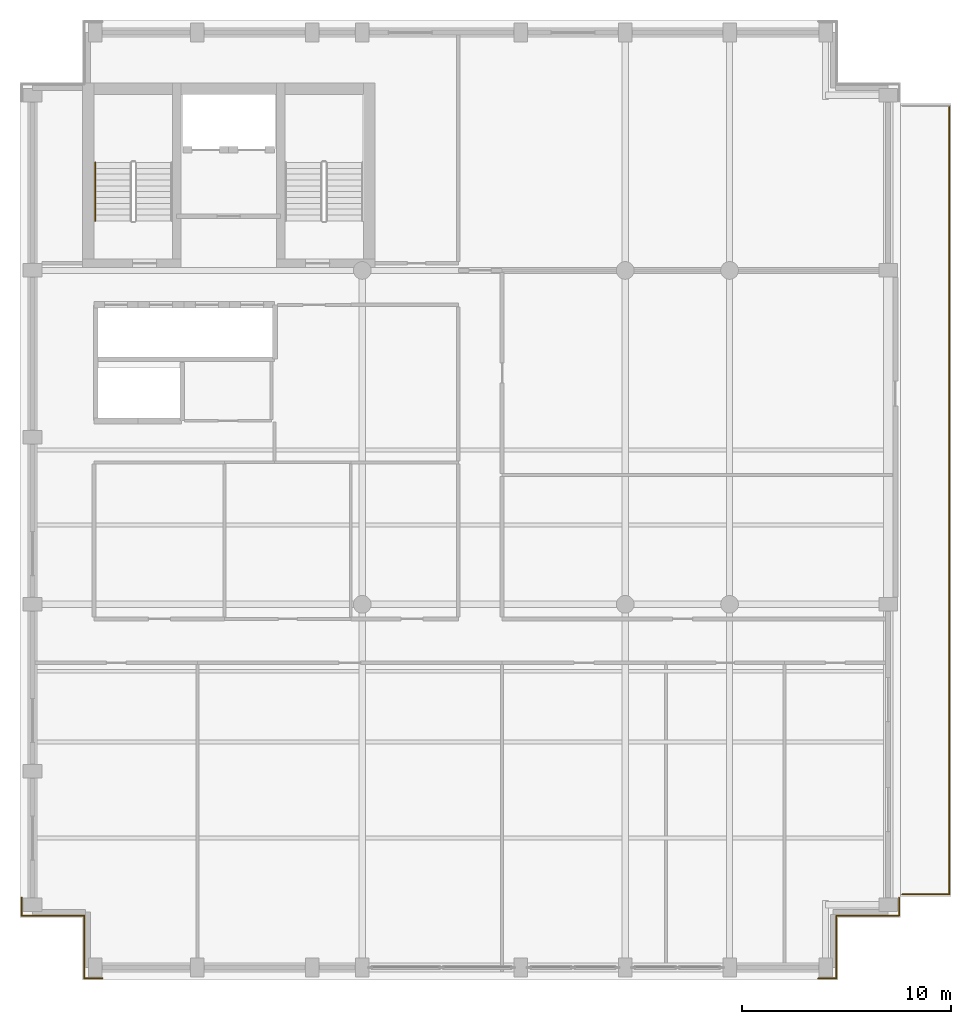
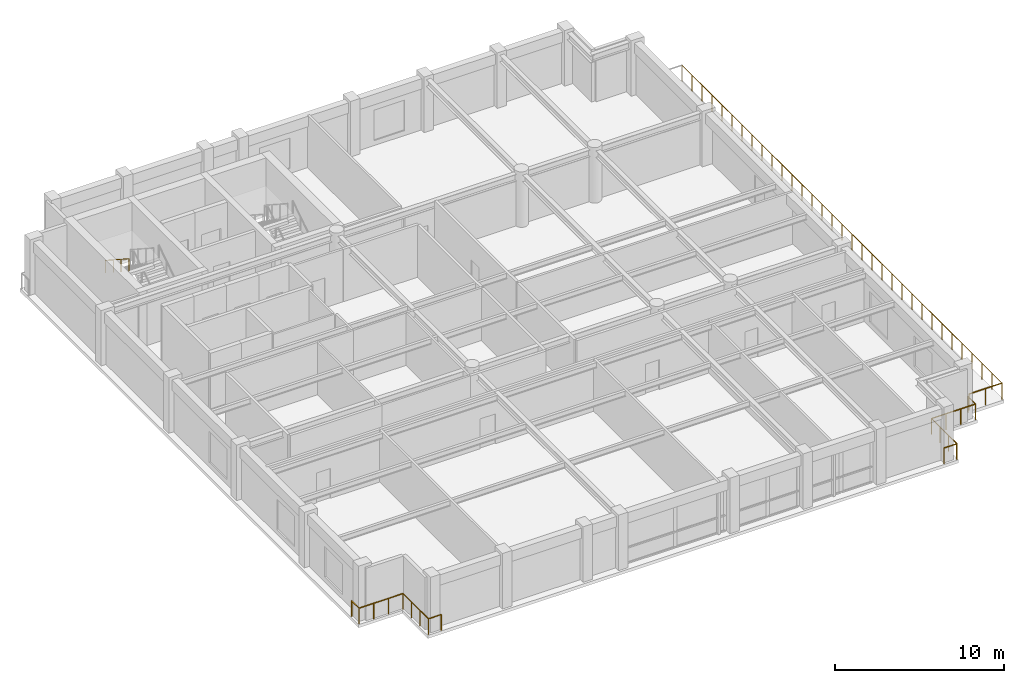
# One storey, part 7 of 9: 11 railings.
"""IFC4 building model written with IfcOpenShell, lengths in metres."""

from ifc_helpers import new_model, si_unit, direction, frame, origin, origin_2d, place, context, subcontext, project, spatial, circle, extrude, material, type_object, element, save


model = new_model("IFC4")

# Units and contexts
model_context = context("Model", 3, precision=1e-05, world=origin(), true_north=direction((0.0, 1.0)))
body_context = subcontext(model_context, "Body", "Model", "MODEL_VIEW")
ifc_project = project(units=[si_unit("LENGTHUNIT", "METRE"), si_unit("AREAUNIT", "SQUARE_METRE"), si_unit("VOLUMEUNIT", "CUBIC_METRE"), si_unit("PLANEANGLEUNIT", "RADIAN"), si_unit("MASSUNIT", "GRAM", prefix="KILO")], contexts=[model_context])

# Site, building, storey
site_placement = place(None, origin())
site = spatial("IfcSite", under=ifc_project, at=site_placement, CompositionType="ELEMENT")
building_placement = place(site_placement, origin())
building = spatial("IfcBuilding", under=site, at=building_placement, Name="Sulina Concourse Tower", CompositionType="ELEMENT")
storey_placement = place(building_placement, frame((0.0, 0.0, 297.0)))
storey = spatial("IfcBuildingStorey", under=building, at=storey_placement, Name="L72", CompositionType="ELEMENT", Elevation=297.0)

# Railings
ifc_material_1 = material(Name="Galvanised steel railing", Category="steel")
railing_type_1 = type_object("IfcRailingType", Name="Core Stair Steel Guardrail 1150mm", PredefinedType="GUARDRAIL", material=ifc_material_1)
railing_1_placement = place(storey_placement, frame((42.1201171875, 3.949951171875, 0.0)))
element("IfcRailing", 1, at=railing_1_placement, inside=storey, type_object=railing_type_1, Name="L72 perimeter edge safety guardrail SE1", PredefinedType="GUARDRAIL", context=body_context, shape_type="SweptSolid", body=[
    extrude(circle(Radius=0.02392578125, at=origin_2d()), frame((0.0, 0.0, 1.1259765625), z_axis=(0.0, -1.0, 0.0), x_axis=(1.0, 0.0, 0.0)), (0.0, 0.0, 1.0), 0.869873046875),
    extrude(circle(Radius=0.02099609375, at=origin_2d()), origin(), (0.0, 0.0, 1.0), 1.101806640625),
    extrude(circle(Radius=0.02099609375, at=origin_2d()), frame((0.0, -0.869873046875, 0.0)), (0.0, 0.0, 1.0), 1.101806640625),
])
railing_2_placement = place(storey_placement, frame((42.1201171875, 3.080078125, 0.0)))
element("IfcRailing", 2, at=railing_2_placement, inside=storey, type_object=railing_type_1, Name="L72 perimeter edge safety guardrail SE2", PredefinedType="GUARDRAIL", context=body_context, shape_type="SweptSolid", body=[
    extrude(circle(Radius=0.02392578125, at=origin_2d()), frame((0.0, 0.0, 1.1259765625), z_axis=(-1.0, 0.0, 0.0), x_axis=(0.0, -1.0, 0.0)), (0.0, 0.0, 1.0), 3.0),
    extrude(circle(Radius=0.02099609375, at=origin_2d()), origin(), (0.0, 0.0, 1.0), 1.101806640625),
    extrude(circle(Radius=0.02099609375, at=origin_2d()), frame((-1.0, 0.0, 0.0)), (0.0, 0.0, 1.0), 1.101806640625),
    extrude(circle(Radius=0.02099609375, at=origin_2d()), frame((-2.0, 0.0, 0.0)), (0.0, 0.0, 1.0), 1.101806640625),
    extrude(circle(Radius=0.02099609375, at=origin_2d()), frame((-3.0, 0.0, 0.0)), (0.0, 0.0, 1.0), 1.101806640625),
])
railing_3_placement = place(storey_placement, frame((39.1201171875, 3.080078125, 0.0)))
element("IfcRailing", 3, at=railing_3_placement, inside=storey, type_object=railing_type_1, Name="L72 perimeter edge safety guardrail SE3", PredefinedType="GUARDRAIL", context=body_context, shape_type="SweptSolid", body=[
    extrude(circle(Radius=0.02392578125, at=origin_2d()), frame((0.0, 0.0, 1.1259765625), z_axis=(0.0, -1.0, 0.0), x_axis=(1.0, 0.0, 0.0)), (0.0, 0.0, 1.0), 3.0),
    extrude(circle(Radius=0.02099609375, at=origin_2d()), origin(), (0.0, 0.0, 1.0), 1.101806640625),
    extrude(circle(Radius=0.02099609375, at=origin_2d()), frame((0.0, -1.0, 0.0)), (0.0, 0.0, 1.0), 1.101806640625),
    extrude(circle(Radius=0.02099609375, at=origin_2d()), frame((0.0, -2.0, 0.0)), (0.0, 0.0, 1.0), 1.101806640625),
    extrude(circle(Radius=0.02099609375, at=origin_2d()), frame((0.0, -3.0, 0.0)), (0.0, 0.0, 1.0), 1.101806640625),
])
railing_4_placement = place(storey_placement, frame((39.1201171875, 0.080078125, 0.0)))
element("IfcRailing", 4, at=railing_4_placement, inside=storey, type_object=railing_type_1, Name="L72 perimeter edge safety guardrail SE4", PredefinedType="GUARDRAIL", context=body_context, shape_type="SweptSolid", body=[
    extrude(circle(Radius=0.02392578125, at=origin_2d()), frame((0.0, 0.0, 1.1259765625), z_axis=(-1.0, 0.0, 0.0), x_axis=(0.0, -1.0, 0.0)), (0.0, 0.0, 1.0), 0.8701171875),
    extrude(circle(Radius=0.02099609375, at=origin_2d()), origin(), (0.0, 0.0, 1.0), 1.101806640625),
    extrude(circle(Radius=0.02099609375, at=origin_2d()), frame((-0.8701171875, 0.0, 0.0)), (0.0, 0.0, 1.0), 1.101806640625),
])
railing_5_placement = place(storey_placement, frame((3.949951171875, 0.080078125, 0.0)))
element("IfcRailing", 5, at=railing_5_placement, inside=storey, type_object=railing_type_1, Name="L72 perimeter edge safety guardrail SW1", PredefinedType="GUARDRAIL", context=body_context, shape_type="SweptSolid", body=[
    extrude(circle(Radius=0.02392578125, at=origin_2d()), frame((0.0, 0.0, 1.1259765625), z_axis=(-1.0, 0.0, 0.0), x_axis=(0.0, -1.0, 0.0)), (0.0, 0.0, 1.0), 0.869873046875),
    extrude(circle(Radius=0.02099609375, at=origin_2d()), origin(), (0.0, 0.0, 1.0), 1.101806640625),
    extrude(circle(Radius=0.02099609375, at=origin_2d()), frame((-0.869873046875, 0.0, 0.0)), (0.0, 0.0, 1.0), 1.101806640625),
])
railing_6_placement = place(storey_placement, frame((3.080078125, 0.080078125, 0.0)))
element("IfcRailing", 6, at=railing_6_placement, inside=storey, type_object=railing_type_1, Name="L72 perimeter edge safety guardrail SW2", PredefinedType="GUARDRAIL", context=body_context, shape_type="SweptSolid", body=[
    extrude(circle(Radius=0.02392578125, at=origin_2d()), frame((0.0, 0.0, 1.1259765625), z_axis=(0.0, 1.0, 0.0), x_axis=(-1.0, 0.0, 0.0)), (0.0, 0.0, 1.0), 3.0),
    extrude(circle(Radius=0.02099609375, at=origin_2d()), origin(), (0.0, 0.0, 1.0), 1.101806640625),
    extrude(circle(Radius=0.02099609375, at=origin_2d()), frame((0.0, 1.0, 0.0)), (0.0, 0.0, 1.0), 1.101806640625),
    extrude(circle(Radius=0.02099609375, at=origin_2d()), frame((0.0, 2.0, 0.0)), (0.0, 0.0, 1.0), 1.101806640625),
    extrude(circle(Radius=0.02099609375, at=origin_2d()), frame((0.0, 3.0, 0.0)), (0.0, 0.0, 1.0), 1.101806640625),
])
railing_7_placement = place(storey_placement, frame((3.080078125, 3.080078125, 0.0)))
element("IfcRailing", 7, at=railing_7_placement, inside=storey, type_object=railing_type_1, Name="L72 perimeter edge safety guardrail SW3", PredefinedType="GUARDRAIL", context=body_context, shape_type="SweptSolid", body=[
    extrude(circle(Radius=0.02392578125, at=origin_2d()), frame((0.0, 0.0, 1.1259765625), z_axis=(-1.0, 0.0, 0.0), x_axis=(0.0, -1.0, 0.0)), (0.0, 0.0, 1.0), 3.0),
    extrude(circle(Radius=0.02099609375, at=origin_2d()), origin(), (0.0, 0.0, 1.0), 1.101806640625),
    extrude(circle(Radius=0.02099609375, at=origin_2d()), frame((-1.0, 0.0, 0.0)), (0.0, 0.0, 1.0), 1.101806640625),
    extrude(circle(Radius=0.02099609375, at=origin_2d()), frame((-2.0, 0.0, 0.0)), (0.0, 0.0, 1.0), 1.101806640625),
    extrude(circle(Radius=0.02099609375, at=origin_2d()), frame((-3.0, 0.0, 0.0)), (0.0, 0.0, 1.0), 1.101806640625),
])
railing_8_placement = place(storey_placement, frame((0.080078125, 3.080078125, 0.0)))
element("IfcRailing", 8, at=railing_8_placement, inside=storey, type_object=railing_type_1, Name="L72 perimeter edge safety guardrail SW4", PredefinedType="GUARDRAIL", context=body_context, shape_type="SweptSolid", body=[
    extrude(circle(Radius=0.02392578125, at=origin_2d()), frame((0.0, 0.0, 1.1259765625), z_axis=(0.0, 1.0, 0.0), x_axis=(-1.0, 0.0, 0.0)), (0.0, 0.0, 1.0), 0.869873046875),
    extrude(circle(Radius=0.02099609375, at=origin_2d()), origin(), (0.0, 0.0, 1.0), 1.101806640625),
    extrude(circle(Radius=0.02099609375, at=origin_2d()), frame((0.0, 0.869873046875, 0.0)), (0.0, 0.0, 1.0), 1.101806640625),
])
ifc_material_2 = material(Name="Galvanised steel railing", Category="steel")
railing_type_2 = type_object("IfcRailingType", Name="Stair Wall Steel Handrail 920mm", PredefinedType="HANDRAIL", material=ifc_material_2)
railing_9_placement = place(storey_placement, frame((3.60498046875, 39.175048828125, 2.181884765625)))
element("IfcRailing", 9, at=railing_9_placement, inside=storey, type_object=railing_type_2, Name="L72 ST-1 stair handrail 2", PredefinedType="HANDRAIL", context=body_context, shape_type="SweptSolid", body=[
    extrude(circle(Radius=0.02392578125, at=origin_2d()), frame((0.0, 0.0, 0.89599609375), z_axis=(0.0, -0.838705829183, 0.544584733623), x_axis=(1.0, 0.0, 0.0)), (0.0, 0.0, 1.0), 3.338623046875),
    extrude(circle(Radius=0.02099609375, at=origin_2d()), origin(), (0.0, 0.0, 1.0), 0.871826171875),
    extrude(circle(Radius=0.02099609375, at=origin_2d()), frame((0.0, -0.933349609375, 0.60595703125)), (0.0, 0.0, 1.0), 0.871826171875),
    extrude(circle(Radius=0.02099609375, at=origin_2d()), frame((0.0, -1.86669921875, 1.212158203125)), (0.0, 0.0, 1.0), 0.871826171875),
    extrude(circle(Radius=0.02099609375, at=origin_2d()), frame((0.0, -2.800048828125, 1.818115234375)), (0.0, 0.0, 1.0), 0.871826171875),
])
ifc_material_3 = material(Name="Laminated glass balustrade and steel post", Category="steel")
railing_type_3 = type_object("IfcRailingType", Name="Terrace & Sky-Pool Laminated Guardrail 1200mm", PredefinedType="GUARDRAIL", material=ifc_material_3)
railing_10_placement = place(storey_placement, frame((42.280029296875, 4.10009765625, 0.0)))
element("IfcRailing", 10, at=railing_10_placement, inside=storey, type_object=railing_type_3, Name="L72 terrace guardrail TER-CR2-1", PredefinedType="GUARDRAIL", context=body_context, shape_type="SweptSolid", body=[
    extrude(circle(Radius=0.02490234375, at=origin_2d()), frame((0.0, 0.0, 1.1748046875), z_axis=(1.0, 0.0, 0.0), x_axis=(0.0, 1.0, 0.0)), (0.0, 0.0, 1.0), 2.239990234375),
    extrude(circle(Radius=0.02099609375, at=origin_2d()), origin(), (0.0, 0.0, 1.0), 1.14990234375),
    extrude(circle(Radius=0.02099609375, at=origin_2d()), frame((1.1201171875, 0.0, 0.0)), (0.0, 0.0, 1.0), 1.14990234375),
    extrude(circle(Radius=0.02099609375, at=origin_2d()), frame((2.239990234375, 0.0, 0.0)), (0.0, 0.0, 1.0), 1.14990234375),
])
railing_11_placement = place(storey_placement, frame((44.52001953125, 4.10009765625, 0.0)))
element("IfcRailing", 11, at=railing_11_placement, inside=storey, type_object=railing_type_3, Name="L72 terrace guardrail TER-CR2-2", PredefinedType="GUARDRAIL", context=body_context, shape_type="SweptSolid", body=[
    extrude(circle(Radius=0.02490234375, at=origin_2d()), frame((0.0, 0.0, 1.1748046875), z_axis=(0.0, 1.0, 0.0), x_axis=(-1.0, 0.0, 0.0)), (0.0, 0.0, 1.0), 37.7998046875),
    extrude(circle(Radius=0.02099609375, at=origin_2d()), origin(), (0.0, 0.0, 1.0), 1.14990234375),
    extrude(circle(Radius=0.02099609375, at=origin_2d()), frame((0.0, 1.18115234375, 0.0)), (0.0, 0.0, 1.0), 1.14990234375),
    extrude(circle(Radius=0.02099609375, at=origin_2d()), frame((0.0, 2.362548828125, 0.0)), (0.0, 0.0, 1.0), 1.14990234375),
    extrude(circle(Radius=0.02099609375, at=origin_2d()), frame((0.0, 3.543701171875, 0.0)), (0.0, 0.0, 1.0), 1.14990234375),
    extrude(circle(Radius=0.02099609375, at=origin_2d()), frame((0.0, 4.72509765625, 0.0)), (0.0, 0.0, 1.0), 1.14990234375),
    extrude(circle(Radius=0.02099609375, at=origin_2d()), frame((0.0, 5.90625, 0.0)), (0.0, 0.0, 1.0), 1.14990234375),
    extrude(circle(Radius=0.02099609375, at=origin_2d()), frame((0.0, 7.08740234375, 0.0)), (0.0, 0.0, 1.0), 1.14990234375),
    extrude(circle(Radius=0.02099609375, at=origin_2d()), frame((0.0, 8.268798828125, 0.0)), (0.0, 0.0, 1.0), 1.14990234375),
    extrude(circle(Radius=0.02099609375, at=origin_2d()), frame((0.0, 9.449951171875, 0.0)), (0.0, 0.0, 1.0), 1.14990234375),
    extrude(circle(Radius=0.02099609375, at=origin_2d()), frame((0.0, 10.631103515625, 0.0)), (0.0, 0.0, 1.0), 1.14990234375),
    extrude(circle(Radius=0.02099609375, at=origin_2d()), frame((0.0, 11.8125, 0.0)), (0.0, 0.0, 1.0), 1.14990234375),
    extrude(circle(Radius=0.02099609375, at=origin_2d()), frame((0.0, 12.99365234375, 0.0)), (0.0, 0.0, 1.0), 1.14990234375),
    extrude(circle(Radius=0.02099609375, at=origin_2d()), frame((0.0, 14.1748046875, 0.0)), (0.0, 0.0, 1.0), 1.14990234375),
    extrude(circle(Radius=0.02099609375, at=origin_2d()), frame((0.0, 15.356201171875, 0.0)), (0.0, 0.0, 1.0), 1.14990234375),
    extrude(circle(Radius=0.02099609375, at=origin_2d()), frame((0.0, 16.537353515625, 0.0)), (0.0, 0.0, 1.0), 1.14990234375),
    extrude(circle(Radius=0.02099609375, at=origin_2d()), frame((0.0, 17.71875, 0.0)), (0.0, 0.0, 1.0), 1.14990234375),
    extrude(circle(Radius=0.02099609375, at=origin_2d()), frame((0.0, 18.89990234375, 0.0)), (0.0, 0.0, 1.0), 1.14990234375),
    extrude(circle(Radius=0.02099609375, at=origin_2d()), frame((0.0, 20.0810546875, 0.0)), (0.0, 0.0, 1.0), 1.14990234375),
    extrude(circle(Radius=0.02099609375, at=origin_2d()), frame((0.0, 21.262451171875, 0.0)), (0.0, 0.0, 1.0), 1.14990234375),
    extrude(circle(Radius=0.02099609375, at=origin_2d()), frame((0.0, 22.443603515625, 0.0)), (0.0, 0.0, 1.0), 1.14990234375),
    extrude(circle(Radius=0.02099609375, at=origin_2d()), frame((0.0, 23.625, 0.0)), (0.0, 0.0, 1.0), 1.14990234375),
    extrude(circle(Radius=0.02099609375, at=origin_2d()), frame((0.0, 24.80615234375, 0.0)), (0.0, 0.0, 1.0), 1.14990234375),
    extrude(circle(Radius=0.02099609375, at=origin_2d()), frame((0.0, 25.9873046875, 0.0)), (0.0, 0.0, 1.0), 1.14990234375),
    extrude(circle(Radius=0.02099609375, at=origin_2d()), frame((0.0, 27.168701171875, 0.0)), (0.0, 0.0, 1.0), 1.14990234375),
    extrude(circle(Radius=0.02099609375, at=origin_2d()), frame((0.0, 28.349853515625, 0.0)), (0.0, 0.0, 1.0), 1.14990234375),
    extrude(circle(Radius=0.02099609375, at=origin_2d()), frame((0.0, 29.531005859375, 0.0)), (0.0, 0.0, 1.0), 1.14990234375),
    extrude(circle(Radius=0.02099609375, at=origin_2d()), frame((0.0, 30.71240234375, 0.0)), (0.0, 0.0, 1.0), 1.14990234375),
    extrude(circle(Radius=0.02099609375, at=origin_2d()), frame((0.0, 31.8935546875, 0.0)), (0.0, 0.0, 1.0), 1.14990234375),
    extrude(circle(Radius=0.02099609375, at=origin_2d()), frame((0.0, 33.07470703125, 0.0)), (0.0, 0.0, 1.0), 1.14990234375),
    extrude(circle(Radius=0.02099609375, at=origin_2d()), frame((0.0, 34.256103515625, 0.0)), (0.0, 0.0, 1.0), 1.14990234375),
    extrude(circle(Radius=0.02099609375, at=origin_2d()), frame((0.0, 35.437255859375, 0.0)), (0.0, 0.0, 1.0), 1.14990234375),
    extrude(circle(Radius=0.02099609375, at=origin_2d()), frame((0.0, 36.61865234375, 0.0)), (0.0, 0.0, 1.0), 1.14990234375),
    extrude(circle(Radius=0.02099609375, at=origin_2d()), frame((0.0, 37.7998046875, 0.0)), (0.0, 0.0, 1.0), 1.14990234375),
])

save(model, "model.ifc")
